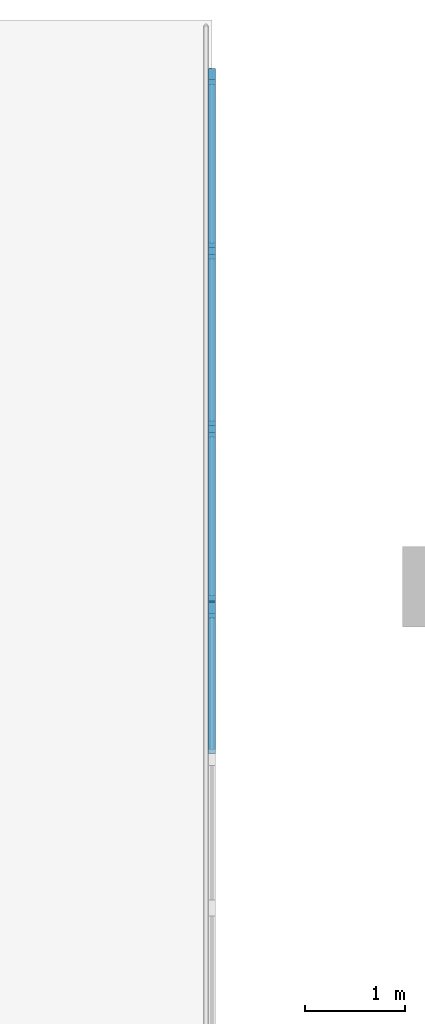
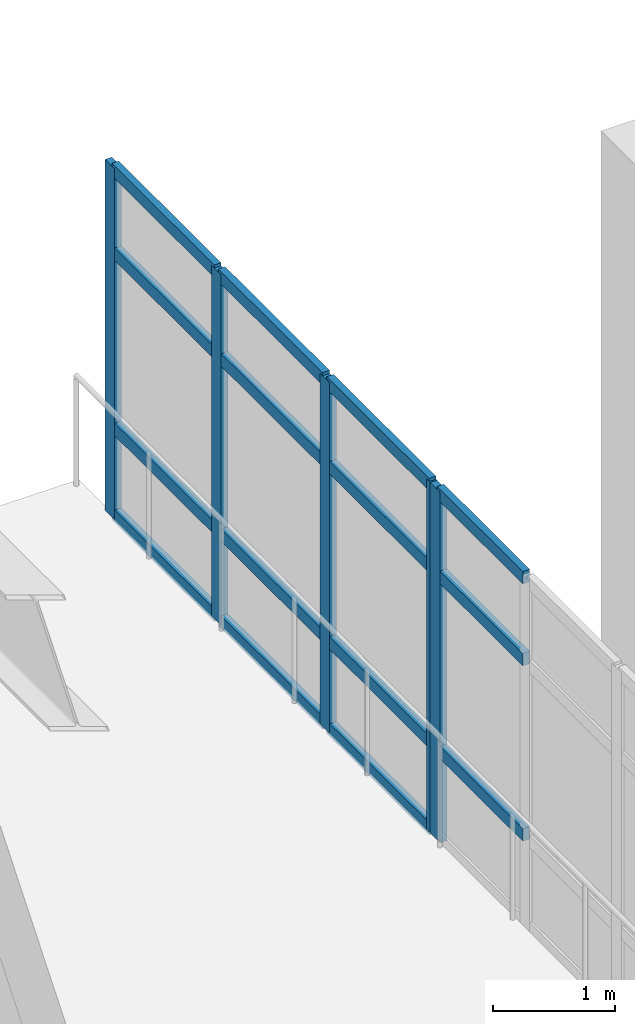
# One storey, part 26 of 54: 20 members, 2 elements without a shape of their own.
"""IFC4 building model written with IfcOpenShell, lengths in metres."""

from ifc_helpers import new_model, si_unit, direction, frame, origin, origin_2d, place, context, subcontext, project, spatial, rectangle, extrude, material, layer, layer_set, material_profile, profile_set, type_object, element, aggregate, save


model = new_model("IFC4")

# Units and contexts
model_context = context("Model", 3, precision=1e-05, world=origin(), true_north=direction((0.0, 1.0)))
body_context = subcontext(model_context, "Body", "Model", "MODEL_VIEW")
ifc_project = project(units=[si_unit("LENGTHUNIT", "METRE"), si_unit("AREAUNIT", "SQUARE_METRE"), si_unit("VOLUMEUNIT", "CUBIC_METRE"), si_unit("PLANEANGLEUNIT", "RADIAN"), si_unit("MASSUNIT", "GRAM", prefix="KILO")], contexts=[model_context])

# Site, building, storey
site_placement = place(None, origin())
site = spatial("IfcSite", under=ifc_project, at=site_placement, CompositionType="ELEMENT")
building_placement = place(site_placement, origin())
building = spatial("IfcBuilding", under=site, at=building_placement, Name="Tlacozan Convention Centre", CompositionType="ELEMENT")
storey_placement = place(building_placement, frame((0.0, 0.0, 11.39990234375)))
storey = spatial("IfcBuildingStorey", under=building, at=storey_placement, Name="L02", CompositionType="ELEMENT", Elevation=11.39990234375)

# Curtain wall, member
ifc_material = material(Name="Dark Bronze Anodised Aluminium", Category="aluminium")
ifc_layer = layer(ifc_material, 0.199951171875)
ifc_layer_set = layer_set([ifc_layer], Name="Dark Bronze Anodised Aluminium")
curtain_wall_type = type_object("IfcCurtainWallType", Name="Unitised Dining Cloister L02 CW09", PredefinedType="NOTDEFINED", material=ifc_layer_set)
curtain_wall_1_placement = place(storey_placement, origin())
curtain_wall_1 = element("IfcCurtainWall", 1, at=curtain_wall_1_placement, inside=storey, type_object=curtain_wall_type, Name="L02 CW-09 Run 170", PredefinedType="NOTDEFINED")
ifc_material_profile_1 = material_profile(ifc_material, rectangle(XDim=0.06494140625, YDim=0.159912109375, at=origin_2d()), Name="ALU 65x160")
ifc_profile_set_1 = profile_set([ifc_material_profile_1], Name="Dark Bronze Anodised Aluminium")
member_type_1 = type_object("IfcMemberType", Name="Curtain Wall Mullion 65x160", PredefinedType="MULLION", material=ifc_profile_set_1)
member_1_placement = place(storey_placement, frame((143.85009765625, 55.967529296875, 0.0), z_axis=(0.0, 0.0, 1.0), x_axis=(-1.0, 0.0, 0.0)))
member_1 = element("IfcMember", 2, at=member_1_placement, type_object=member_type_1, Name="CW-09 mullion 5", PredefinedType="MULLION", context=body_context, shape_type="SweptSolid", body=[
    extrude(rectangle(XDim=0.06494140625, YDim=0.159912109375, at=origin_2d()), origin(), (0.0, 0.0, 1.0), 3.5),
])

# Curtain wall, members
curtain_wall_2_placement = place(storey_placement, origin())
curtain_wall_2 = element("IfcCurtainWall", 3, at=curtain_wall_2_placement, inside=storey, type_object=curtain_wall_type, Name="L02 CW-09 Run 171", PredefinedType="NOTDEFINED")
member_2_placement = place(storey_placement, frame((143.85009765625, 56.032470703125, 0.0), z_axis=(0.0, 0.0, 1.0), x_axis=(-1.0, 0.0, 0.0)))
member_2 = element("IfcMember", 4, at=member_2_placement, type_object=member_type_1, Name="CW-09 mullion 1", PredefinedType="MULLION", context=body_context, shape_type="SweptSolid", body=[
    extrude(rectangle(XDim=0.06494140625, YDim=0.159912109375, at=origin_2d()), origin(), (0.0, 0.0, 1.0), 3.5),
])
member_3_placement = place(storey_placement, frame((143.85009765625, 57.7734375, 0.0), z_axis=(0.0, 0.0, 1.0), x_axis=(-1.0, 0.0, 0.0)))
member_3 = element("IfcMember", 5, at=member_3_placement, type_object=member_type_1, Name="CW-09 mullion 2", PredefinedType="MULLION", context=body_context, shape_type="SweptSolid", body=[
    extrude(rectangle(XDim=0.06494140625, YDim=0.159912109375, at=origin_2d()), origin(), (0.0, 0.0, 1.0), 3.5),
])
member_4_placement = place(storey_placement, frame((143.85009765625, 59.546630859375, 0.0), z_axis=(0.0, 0.0, 1.0), x_axis=(-1.0, 0.0, 0.0)))
member_4 = element("IfcMember", 6, at=member_4_placement, type_object=member_type_1, Name="CW-09 mullion 3", PredefinedType="MULLION", context=body_context, shape_type="SweptSolid", body=[
    extrude(rectangle(XDim=0.06494140625, YDim=0.159912109375, at=origin_2d()), origin(), (0.0, 0.0, 1.0), 3.5),
])
member_5_placement = place(storey_placement, frame((143.85009765625, 61.28759765625, 0.0), z_axis=(0.0, 0.0, 1.0), x_axis=(-1.0, 0.0, 0.0)))
member_5 = element("IfcMember", 7, at=member_5_placement, type_object=member_type_1, Name="CW-09 mullion 4", PredefinedType="MULLION", context=body_context, shape_type="SweptSolid", body=[
    extrude(rectangle(XDim=0.06494140625, YDim=0.159912109375, at=origin_2d()), origin(), (0.0, 0.0, 1.0), 3.5),
])

# Member
ifc_material_profile_2 = material_profile(ifc_material, rectangle(XDim=0.06494140625, YDim=0.125, at=origin_2d()), Name="ALU 65x125")
ifc_profile_set_2 = profile_set([ifc_material_profile_2], Name="Dark Bronze Anodised Aluminium")
member_type_2 = type_object("IfcMemberType", Name="Curtain Wall Transom 65x125", PredefinedType="USERDEFINED", material=ifc_profile_set_2)
member_6_placement = place(storey_placement, frame((143.85009765625, 54.532470703125, 0.900146484375), z_axis=(0.0, 1.0, 0.0), x_axis=(-1.0, 0.0, 0.0)))
member_6 = element("IfcMember", 8, at=member_6_placement, type_object=member_type_2, Name="CW-09 transom 4.2", ObjectType="TRANSOM", PredefinedType="USERDEFINED", context=body_context, shape_type="SweptSolid", body=[
    extrude(rectangle(XDim=0.06494140625, YDim=0.125, at=origin_2d()), origin(), (0.0, 0.0, 1.0), 1.402587890625),
])

member_7_placement = place(storey_placement, frame((143.85009765625, 54.532470703125, 2.650146484375), z_axis=(0.0, 1.0, 0.0), x_axis=(-1.0, 0.0, 0.0)))
member_7 = element("IfcMember", 9, at=member_7_placement, type_object=member_type_2, Name="CW-09 transom 4.3", ObjectType="TRANSOM", PredefinedType="USERDEFINED", context=body_context, shape_type="SweptSolid", body=[
    extrude(rectangle(XDim=0.06494140625, YDim=0.125, at=origin_2d()), origin(), (0.0, 0.0, 1.0), 1.402587890625),
])

member_8_placement = place(storey_placement, frame((143.85009765625, 54.532470703125, 3.467529296875), z_axis=(0.0, 1.0, 0.0), x_axis=(-1.0, 0.0, 0.0)))
member_8 = element("IfcMember", 10, at=member_8_placement, type_object=member_type_2, Name="CW-09 transom 4.4", ObjectType="TRANSOM", PredefinedType="USERDEFINED", context=body_context, shape_type="SweptSolid", body=[
    extrude(rectangle(XDim=0.06494140625, YDim=0.125, at=origin_2d()), origin(), (0.0, 0.0, 1.0), 1.402587890625),
])

aggregate(curtain_wall_1, [member_1, member_6, member_7, member_8])

member_9_placement = place(storey_placement, frame((143.85009765625, 56.06494140625, 0.03271484375), z_axis=(0.0, 1.0, 0.0), x_axis=(-1.0, 0.0, 0.0)))
member_9 = element("IfcMember", 11, at=member_9_placement, type_object=member_type_2, Name="CW-09 transom 1.1", ObjectType="TRANSOM", PredefinedType="USERDEFINED", context=body_context, shape_type="SweptSolid", body=[
    extrude(rectangle(XDim=0.06494140625, YDim=0.125, at=origin_2d()), origin(), (0.0, 0.0, 1.0), 1.67578125),
])

member_10_placement = place(storey_placement, frame((143.85009765625, 56.06494140625, 0.900146484375), z_axis=(0.0, 1.0, 0.0), x_axis=(-1.0, 0.0, 0.0)))
member_10 = element("IfcMember", 12, at=member_10_placement, type_object=member_type_2, Name="CW-09 transom 1.2", ObjectType="TRANSOM", PredefinedType="USERDEFINED", context=body_context, shape_type="SweptSolid", body=[
    extrude(rectangle(XDim=0.06494140625, YDim=0.125, at=origin_2d()), origin(), (0.0, 0.0, 1.0), 1.67578125),
])

member_11_placement = place(storey_placement, frame((143.85009765625, 56.06494140625, 2.650146484375), z_axis=(0.0, 1.0, 0.0), x_axis=(-1.0, 0.0, 0.0)))
member_11 = element("IfcMember", 13, at=member_11_placement, type_object=member_type_2, Name="CW-09 transom 1.3", ObjectType="TRANSOM", PredefinedType="USERDEFINED", context=body_context, shape_type="SweptSolid", body=[
    extrude(rectangle(XDim=0.06494140625, YDim=0.125, at=origin_2d()), origin(), (0.0, 0.0, 1.0), 1.67578125),
])

member_12_placement = place(storey_placement, frame((143.85009765625, 56.06494140625, 3.467529296875), z_axis=(0.0, 1.0, 0.0), x_axis=(-1.0, 0.0, 0.0)))
member_12 = element("IfcMember", 14, at=member_12_placement, type_object=member_type_2, Name="CW-09 transom 1.4", ObjectType="TRANSOM", PredefinedType="USERDEFINED", context=body_context, shape_type="SweptSolid", body=[
    extrude(rectangle(XDim=0.06494140625, YDim=0.125, at=origin_2d()), origin(), (0.0, 0.0, 1.0), 1.67578125),
])

member_13_placement = place(storey_placement, frame((143.85009765625, 57.805908203125, 0.03271484375), z_axis=(0.0, 1.0, 0.0), x_axis=(-1.0, 0.0, 0.0)))
member_13 = element("IfcMember", 15, at=member_13_placement, type_object=member_type_2, Name="CW-09 transom 2.1", ObjectType="TRANSOM", PredefinedType="USERDEFINED", context=body_context, shape_type="SweptSolid", body=[
    extrude(rectangle(XDim=0.06494140625, YDim=0.125, at=origin_2d()), origin(), (0.0, 0.0, 1.0), 1.708251953125),
])

member_14_placement = place(storey_placement, frame((143.85009765625, 57.805908203125, 0.900146484375), z_axis=(0.0, 1.0, 0.0), x_axis=(-1.0, 0.0, 0.0)))
member_14 = element("IfcMember", 16, at=member_14_placement, type_object=member_type_2, Name="CW-09 transom 2.2", ObjectType="TRANSOM", PredefinedType="USERDEFINED", context=body_context, shape_type="SweptSolid", body=[
    extrude(rectangle(XDim=0.06494140625, YDim=0.125, at=origin_2d()), origin(), (0.0, 0.0, 1.0), 1.708251953125),
])

member_15_placement = place(storey_placement, frame((143.85009765625, 57.805908203125, 2.650146484375), z_axis=(0.0, 1.0, 0.0), x_axis=(-1.0, 0.0, 0.0)))
member_15 = element("IfcMember", 17, at=member_15_placement, type_object=member_type_2, Name="CW-09 transom 2.3", ObjectType="TRANSOM", PredefinedType="USERDEFINED", context=body_context, shape_type="SweptSolid", body=[
    extrude(rectangle(XDim=0.06494140625, YDim=0.125, at=origin_2d()), origin(), (0.0, 0.0, 1.0), 1.708251953125),
])

member_16_placement = place(storey_placement, frame((143.85009765625, 57.805908203125, 3.467529296875), z_axis=(0.0, 1.0, 0.0), x_axis=(-1.0, 0.0, 0.0)))
member_16 = element("IfcMember", 18, at=member_16_placement, type_object=member_type_2, Name="CW-09 transom 2.4", ObjectType="TRANSOM", PredefinedType="USERDEFINED", context=body_context, shape_type="SweptSolid", body=[
    extrude(rectangle(XDim=0.06494140625, YDim=0.125, at=origin_2d()), origin(), (0.0, 0.0, 1.0), 1.708251953125),
])

member_17_placement = place(storey_placement, frame((143.85009765625, 59.5791015625, 0.03271484375), z_axis=(0.0, 1.0, 0.0), x_axis=(-1.0, 0.0, 0.0)))
member_17 = element("IfcMember", 19, at=member_17_placement, type_object=member_type_2, Name="CW-09 transom 3.1", ObjectType="TRANSOM", PredefinedType="USERDEFINED", context=body_context, shape_type="SweptSolid", body=[
    extrude(rectangle(XDim=0.06494140625, YDim=0.125, at=origin_2d()), origin(), (0.0, 0.0, 1.0), 1.67578125),
])

member_18_placement = place(storey_placement, frame((143.85009765625, 59.5791015625, 0.900146484375), z_axis=(0.0, 1.0, 0.0), x_axis=(-1.0, 0.0, 0.0)))
member_18 = element("IfcMember", 20, at=member_18_placement, type_object=member_type_2, Name="CW-09 transom 3.2", ObjectType="TRANSOM", PredefinedType="USERDEFINED", context=body_context, shape_type="SweptSolid", body=[
    extrude(rectangle(XDim=0.06494140625, YDim=0.125, at=origin_2d()), origin(), (0.0, 0.0, 1.0), 1.67578125),
])

member_19_placement = place(storey_placement, frame((143.85009765625, 59.5791015625, 2.650146484375), z_axis=(0.0, 1.0, 0.0), x_axis=(-1.0, 0.0, 0.0)))
member_19 = element("IfcMember", 21, at=member_19_placement, type_object=member_type_2, Name="CW-09 transom 3.3", ObjectType="TRANSOM", PredefinedType="USERDEFINED", context=body_context, shape_type="SweptSolid", body=[
    extrude(rectangle(XDim=0.06494140625, YDim=0.125, at=origin_2d()), origin(), (0.0, 0.0, 1.0), 1.67578125),
])

member_20_placement = place(storey_placement, frame((143.85009765625, 59.5791015625, 3.467529296875), z_axis=(0.0, 1.0, 0.0), x_axis=(-1.0, 0.0, 0.0)))
member_20 = element("IfcMember", 22, at=member_20_placement, type_object=member_type_2, Name="CW-09 transom 3.4", ObjectType="TRANSOM", PredefinedType="USERDEFINED", context=body_context, shape_type="SweptSolid", body=[
    extrude(rectangle(XDim=0.06494140625, YDim=0.125, at=origin_2d()), origin(), (0.0, 0.0, 1.0), 1.67578125),
])

aggregate(curtain_wall_2, [member_2, member_3, member_4, member_5, member_9, member_10, member_11, member_12, member_13, member_14, member_15, member_16, member_17, member_18, member_19, member_20])

save(model, "model.ifc")
